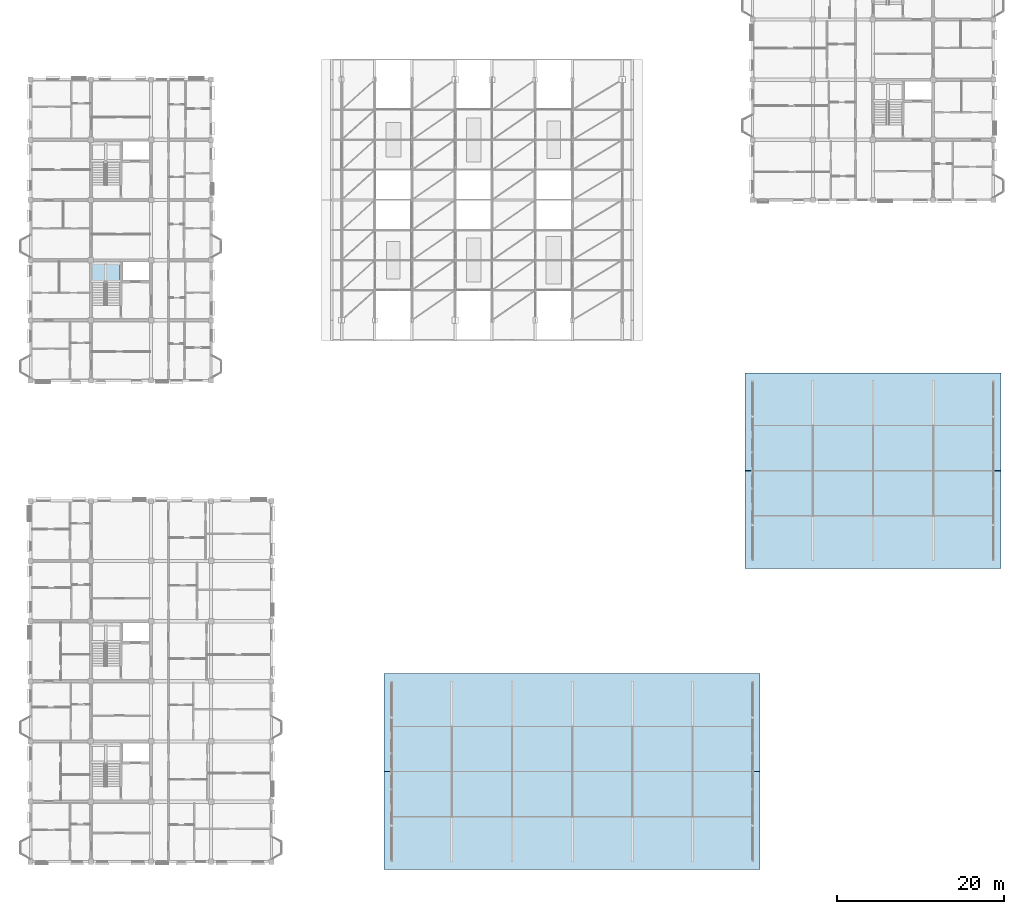
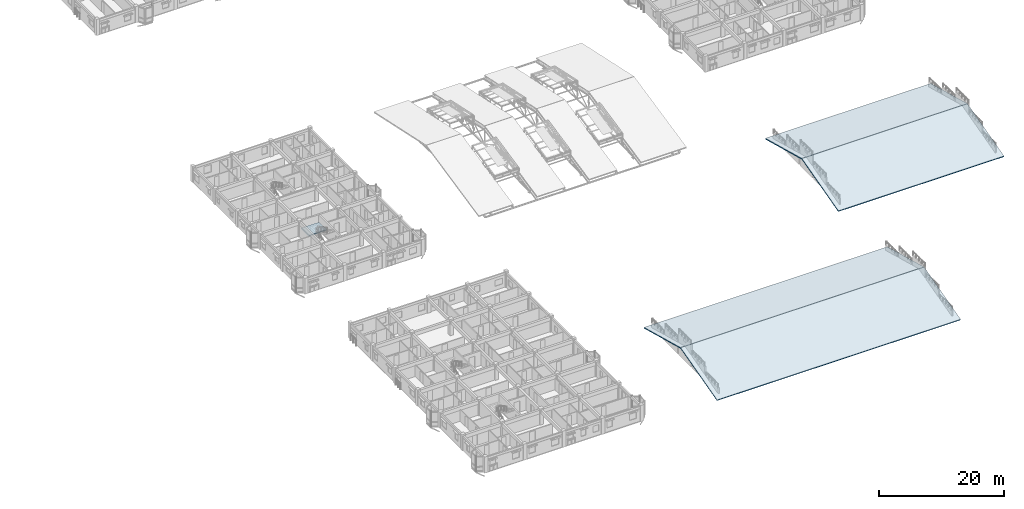
# One storey, part 78 of 124: 5 slabs, 1 element without a shape of its own.
"""IFC4 building model written with IfcOpenShell, lengths in metres."""

import ifcopenshell
import ifcopenshell.guid

model = None  # the IFC model being written
_history = None  # IfcOwnerHistory: only IFC2X3 demands one
_inside = {}  # id of a spatial element -> (the spatial element, [elements in it])
_under = {}  # id of a project, library or spatial element -> (it, [spatial elements below it])
_declared = {}  # id of a project -> (the project, [libraries it declares])
_typed = {}  # id of a type object -> (the type object, [elements of that type])
_made_of = {}  # id of a material, layer set ... -> (it, [elements and type objects made of it])


def new_model(schema):
    """Start an empty IFC model of exactly this schema.

    Asked for "IFC4X3", IfcOpenShell would pick the latest addendum, in which some entities
    have other attributes; the version numbers below select the first issue.
    IFC2X3 requires an IfcOwnerHistory on every rooted entity: one is made here for all.
    """
    global model, _history
    if schema == "IFC4X3":
        model = ifcopenshell.file(schema_version=(4, 3, 0, 0))
    else:
        model = ifcopenshell.file(schema=schema)
    _inside.clear()
    _under.clear()
    _declared.clear()
    _typed.clear()
    _made_of.clear()
    _history = None
    if model.schema == "IFC2X3":
        org = make("IfcOrganization", Name="unknown")
        user = make(
            "IfcPersonAndOrganization",
            ThePerson=make("IfcPerson", FamilyName="unknown"),
            TheOrganization=org,
        )
        app = make(
            "IfcApplication",
            ApplicationDeveloper=org,
            Version="unknown",
            ApplicationFullName="unknown",
            ApplicationIdentifier="unknown",
        )
        _history = make(
            "IfcOwnerHistory",
            OwningUser=user,
            OwningApplication=app,
            ChangeAction="ADDED",
            CreationDate=0,
        )
    return model


def make(cls, **values):
    """One entity of the class cls with the attributes given. An attribute that is None is left unset."""
    return model.create_entity(
        cls, **{name: value for name, value in values.items() if value is not None}
    )


def rooted(cls, **values):
    """An entity with a GlobalId (a new one), such as an element, a storey or a relation."""
    return make(cls, GlobalId=ifcopenshell.guid.new(), OwnerHistory=_history, **values)


def si_unit(unit_type, name, prefix=None):
    """IfcSIUnit, for example si_unit("LENGTHUNIT", "METRE", prefix="MILLI")."""
    return make("IfcSIUnit", UnitType=unit_type, Prefix=prefix, Name=name)


def assignment(units):
    """IfcUnitAssignment: the units of a project."""
    return None if units is None else make("IfcUnitAssignment", Units=units)


def point(xyz):
    """IfcCartesianPoint."""
    return None if xyz is None else make("IfcCartesianPoint", Coordinates=xyz)


def direction(xyz):
    """IfcDirection."""
    return None if xyz is None else make("IfcDirection", DirectionRatios=xyz)


def frame(location, z_axis=None, x_axis=None):
    """IfcAxis2Placement3D, a coordinate frame: its origin and axes. An axis left out is left unset."""
    return make(
        "IfcAxis2Placement3D",
        Location=point(location),
        Axis=direction(z_axis),
        RefDirection=direction(x_axis),
    )


def origin():
    """The frame at (0, 0, 0) with its axes left unset."""
    return frame((0.0, 0.0, 0.0))


def place(relative_to, where):
    """IfcLocalPlacement: puts the frame where relative to a parent placement (None: the world)."""
    return make(
        "IfcLocalPlacement", PlacementRelTo=relative_to, RelativePlacement=where
    )


def context(
    kind, dimensions, precision=None, world=None, true_north=None, identifier=None
):
    """IfcGeometricRepresentationContext, for example the 3D "Model" context."""
    return make(
        "IfcGeometricRepresentationContext",
        ContextIdentifier=identifier,
        ContextType=kind,
        CoordinateSpaceDimension=dimensions,
        Precision=precision,
        WorldCoordinateSystem=world,
        TrueNorth=true_north,
    )


def subcontext(parent, identifier, kind, view, scale=None):
    """IfcGeometricRepresentationSubContext, for example "Body" below "Model"."""
    return make(
        "IfcGeometricRepresentationSubContext",
        ContextIdentifier=identifier,
        ContextType=kind,
        ParentContext=parent,
        TargetScale=scale,
        TargetView=view,
    )


def project(units=None, contexts=None):
    """IfcProject with its units and contexts."""
    return rooted(
        "IfcProject",
        Name="project",
        RepresentationContexts=contexts,
        UnitsInContext=assignment(units),
    )


def spatial(cls, under=None, at=None, **own):
    """A site, building, storey or space (cls), placed at a placement, below another one or the project."""
    s = rooted(cls, ObjectPlacement=at, **own)
    if under is not None:
        _under.setdefault(under.id(), (under, []))[1].append(s)
    return s


def polyline(points):
    """IfcPolyline through the points."""
    return make("IfcPolyline", Points=[point(p) for p in points])


def outline(outer, holes=None, kind="AREA"):
    """IfcArbitraryClosedProfileDef: a profile drawn as a closed curve; with holes, ...WithVoids."""
    if holes is None:
        return make("IfcArbitraryClosedProfileDef", ProfileType=kind, OuterCurve=outer)
    return make(
        "IfcArbitraryProfileDefWithVoids",
        ProfileType=kind,
        OuterCurve=outer,
        InnerCurves=holes,
    )


def extrude(swept, where, along, depth):
    """IfcExtrudedAreaSolid: the profile swept, set in the frame where, extruded along a direction by depth."""
    return make(
        "IfcExtrudedAreaSolid",
        SweptArea=swept,
        Position=where,
        ExtrudedDirection=direction(along),
        Depth=depth,
    )


def shape(context_of_items, identifier, shape_type, items):
    """IfcShapeRepresentation: the items that make up one representation, for example the "Body"."""
    return make(
        "IfcShapeRepresentation",
        ContextOfItems=context_of_items,
        RepresentationIdentifier=identifier,
        RepresentationType=shape_type,
        Items=items,
    )


def material(Name=None, Category=None):
    """IfcMaterial."""
    return make("IfcMaterial", Name=Name, Category=Category)


def layer(
    of_material, thickness, ventilated=None, Name=None, Category=None, Priority=None
):
    """IfcMaterialLayer: one layer of a wall or slab, of a material (None: an air gap)."""
    return make(
        "IfcMaterialLayer",
        Material=of_material,
        LayerThickness=thickness,
        IsVentilated=ventilated,
        Name=Name,
        Category=Category,
        Priority=Priority,
    )


def layer_set(layers, Name=None):
    """IfcMaterialLayerSet."""
    return make("IfcMaterialLayerSet", MaterialLayers=layers, LayerSetName=Name)


def made_of(thing, what):
    """Note that an element or type object is made of a material, layer set ...; save() writes the relation."""
    if what is not None:
        _made_of.setdefault(what.id(), (what, []))[1].append(thing)
    return thing


def type_object(cls, material=None, **own):
    """A type object (cls), such as IfcWallType, which elements share."""
    return made_of(rooted(cls, **own), material)


def element(
    cls,
    number,
    at=None,
    inside=None,
    cuts=None,
    type_object=None,
    material=None,
    context=None,
    identifier="Body",
    shape_type=None,
    held_by="IfcProductDefinitionShape",
    body=None,
    shapes=None,
    **own,
):
    """One element of the class cls, such as IfcWall. Its Tag is "e" and its number.

    at: its placement. inside: the storey or other place that contains it. cuts: it is an
    opening in that element (IfcRelVoidsElement). A single representation is given by context,
    identifier, shape_type and body (its items); several are given by shapes. held_by: the class
    of the entity that holds the representations. save() writes the other relations.
    """
    e = rooted(cls, Tag="e%d" % number, ObjectPlacement=at, **own)
    if body is not None:
        shapes = [shape(context, identifier, shape_type, body)]
    if shapes is not None:
        e.Representation = make(held_by, Representations=shapes)
    if inside is not None:
        _inside.setdefault(inside.id(), (inside, []))[1].append(e)
    if cuts is not None:
        rooted(
            "IfcRelVoidsElement", RelatingBuildingElement=cuts, RelatedOpeningElement=e
        )
    if type_object is not None:
        _typed.setdefault(type_object.id(), (type_object, []))[1].append(e)
    return made_of(e, material)


def aggregate(whole, parts):
    """IfcRelAggregates: a whole, such as a stair, and the parts it consists of."""
    return rooted("IfcRelAggregates", RelatingObject=whole, RelatedObjects=parts)


def save(model, path):
    """Write the relations noted so far, then the file.

    IfcRelAggregates (storeys below a building ...), IfcRelContainedInSpatialStructure (elements
    in a storey), IfcRelDefinesByType, IfcRelAssociatesMaterial and IfcRelDeclares: one each for
    every whole, place, type object, material and project.
    """
    for whole, parts in _under.values():
        aggregate(whole, parts)
    for where, things in _inside.values():
        rooted(
            "IfcRelContainedInSpatialStructure",
            RelatedElements=things,
            RelatingStructure=where,
        )
    for kind, things in _typed.values():
        rooted("IfcRelDefinesByType", RelatedObjects=things, RelatingType=kind)
    for what, things in _made_of.values():
        rooted("IfcRelAssociatesMaterial", RelatedObjects=things, RelatingMaterial=what)
    for by, libraries in _declared.values():
        rooted("IfcRelDeclares", RelatingContext=by, RelatedDefinitions=libraries)
    model.write(path)


model = new_model("IFC4")

# Units and contexts
model_context = context("Model", 3, precision=1e-05, world=origin(), true_north=direction((0.0, 1.0)))
body_context = subcontext(model_context, "Body", "Model", "MODEL_VIEW")
ifc_project = project(units=[si_unit("LENGTHUNIT", "METRE"), si_unit("AREAUNIT", "SQUARE_METRE"), si_unit("VOLUMEUNIT", "CUBIC_METRE"), si_unit("PLANEANGLEUNIT", "RADIAN"), si_unit("MASSUNIT", "GRAM", prefix="KILO"), si_unit("THERMODYNAMICTEMPERATUREUNIT", "KELVIN"), si_unit("POWERUNIT", "WATT")], contexts=[model_context])

# Site, building, storey
site_placement = place(None, origin())
site = spatial("IfcSite", under=ifc_project, at=site_placement, CompositionType="ELEMENT")
building_placement = place(site_placement, origin())
building = spatial("IfcBuilding", under=site, at=building_placement, Name="Tavuni Mirador Residences", CompositionType="ELEMENT")
storey_placement = place(building_placement, frame((0.0, 0.0, 7.64990234375)))
storey = spatial("IfcBuildingStorey", under=building, at=storey_placement, Name="L02", CompositionType="ELEMENT", Elevation=7.64990234375)

# Stair, slab
ifc_material = material(Name="Precast concrete C40/50", Category="concrete")
stair_type = type_object("IfcStairType", Name="STT-TYP", PredefinedType="HALF_TURN_STAIR", material=ifc_material)
stair_placement = place(storey_placement, origin())
stair = element("IfcStair", 1, at=stair_placement, inside=storey, type_object=stair_type, Name="Protected exit stair ST3 (L02)", PredefinedType="HALF_TURN_STAIR")
ifc_layer_1 = layer(ifc_material, 0.179931640625, Name="Precast concrete C40/50", Category="concrete")
ifc_layer_set_1 = layer_set([ifc_layer_1], Name="Precast concrete C40/50")
slab_type_1 = type_object("IfcSlabType", Name="SLT-LND180", PredefinedType="LANDING", material=ifc_layer_set_1)
slab_placement = place(storey_placement, frame((0.0, 0.0, 1.39501953125)))
slab = element("IfcSlab", 2, at=slab_placement, type_object=slab_type_1, Name="ST3 landing 1", PredefinedType="LANDING", context=body_context, shape_type="SweptSolid", body=[
    extrude(outline(polyline([(10.93994140625, 76.491943359375), (14.260009765625, 76.491943359375), (14.260009765625, 78.89990234375), (10.93994140625, 78.89990234375), (10.93994140625, 76.491943359375)])), origin(), (0.0, 0.0, 1.0), 0.18017578125),
])
aggregate(stair, [slab])

# Slabs
ifc_layer_2 = layer(ifc_material, 0.175048828125, Name="Precast concrete C40/50", Category="concrete")
ifc_layer_set_2 = layer_set([ifc_layer_2], Name="Precast concrete C40/50")
slab_type_2 = type_object("IfcSlabType", Name="SLT-RF175", PredefinedType="ROOF", material=ifc_layer_set_2)
for number, where, z_axis, x_axis, name in (
    (3, (45.89990234375, 6.300048828125, -0.24169921875), (0.0, -0.259594385417, 0.965717740885), (1.0, 0.0, 0.0), "RF-PAV-SHOP-S"),
    (4, (45.89990234375, 18.011962890625, 2.900146484375), (0.0, 0.259594385417, 0.965717740885), (1.0, 0.0, 0.0), "RF-PAV-SHOP-N"),
):
    element("IfcSlab", number, at=place(storey_placement, frame(where, z_axis=z_axis, x_axis=x_axis)), inside=storey, type_object=slab_type_2, Name=name, PredefinedType="ROOF", context=body_context, shape_type="SweptSolid", body=[
        extrude(outline(polyline([(0.0, 0.0), (45.0, 0.0), (45.0, 12.10290314283653), (0.0, 12.10290314283653), (0.0, 0.0)])), origin(), (0.0, 0.0, -1.0), 0.175048828125),
    ])
ifc_layer_3 = layer(ifc_material, 0.195068359375, Name="Precast concrete C40/50", Category="concrete")
ifc_layer_set_3 = layer_set([ifc_layer_3], Name="Precast concrete C40/50")
slab_type_3 = type_object("IfcSlabType", Name="SLT-RF195", PredefinedType="ROOF", material=ifc_layer_set_3)
for number, where, z_axis, x_axis, name in (
    (5, (89.10009765625, 42.300048828125, -0.24169921875), (0.0, -0.259594385417, 0.965717740885), (1.0, 0.0, 0.0), "RF-PAV-NURS-S"),
    (6, (89.10009765625, 54.011962890625, 2.900146484375), (0.0, 0.259594385417, 0.965717740885), (1.0, 0.0, 0.0), "RF-PAV-NURS-N"),
):
    element("IfcSlab", number, at=place(storey_placement, frame(where, z_axis=z_axis, x_axis=x_axis)), inside=storey, type_object=slab_type_3, Name=name, PredefinedType="ROOF", context=body_context, shape_type="SweptSolid", body=[
        extrude(outline(polyline([(0.0, 0.0), (30.599853515625, 0.0), (30.599853515625, 12.102903142836528), (0.0, 12.102903142836528), (0.0, 0.0)])), origin(), (0.0, 0.0, -1.0), 0.195068359375),
    ])

save(model, "model.ifc")
